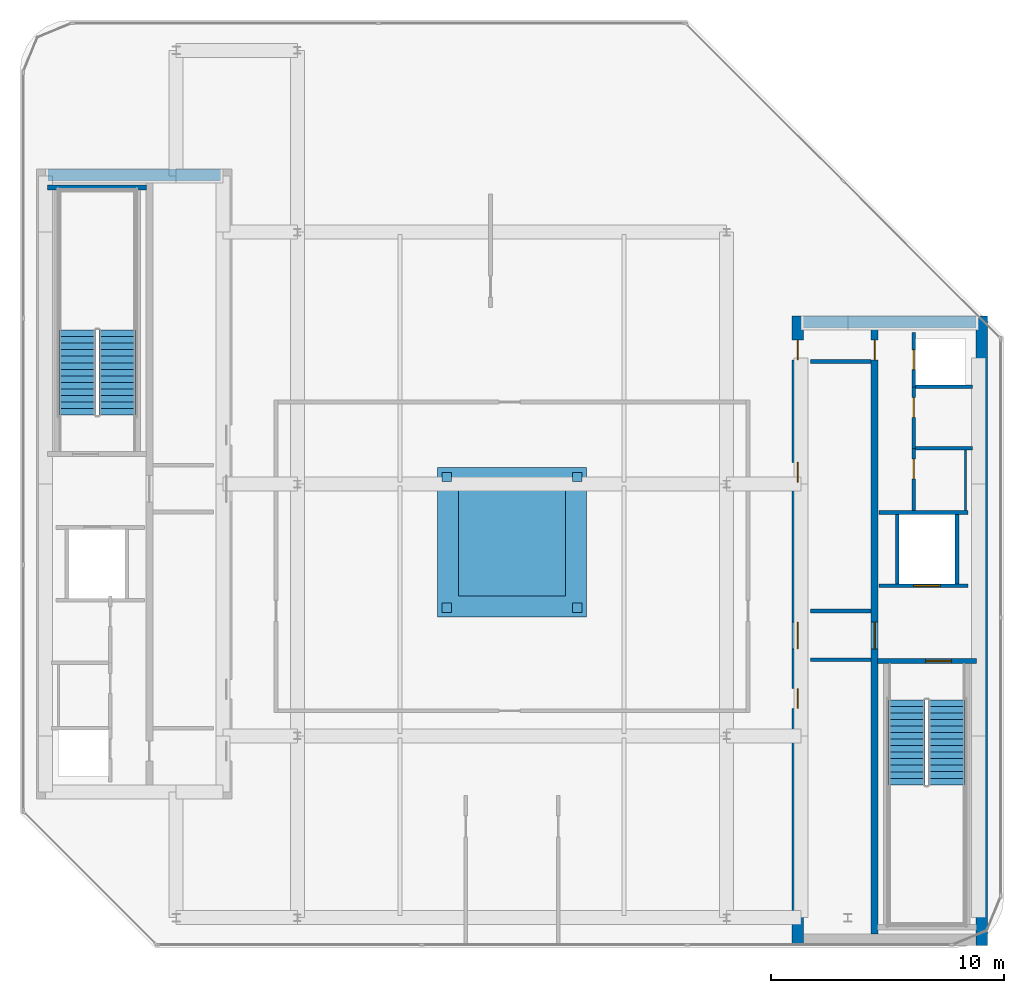
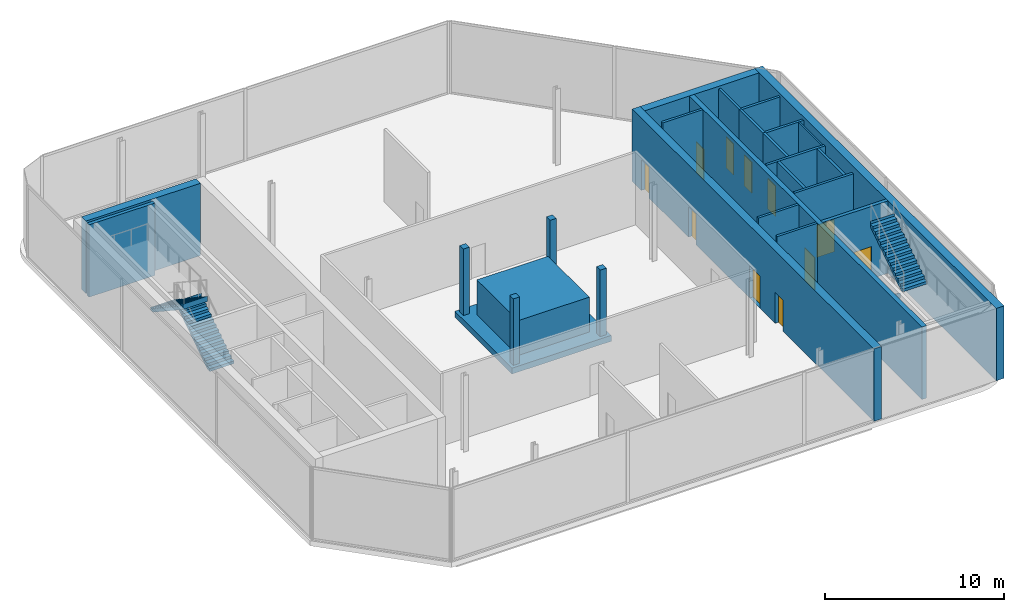
# One storey, part 6 of 14: 20 walls, 11 doors, 6 discrete accessories, 4 stair flights, 11 openings, 2 elements without a shape of their own.
"""IFC4 building model written with IfcOpenShell, lengths in metres."""

from ifc_helpers import new_model, si_unit, direction, frame, frame_2d, origin, origin_2d, place, context, subcontext, project, spatial, polyline, rectangle, outline, extrude, material, layer, layer_set, type_object, element, fill, aggregate, save


model = new_model("IFC4")

# Units and contexts
model_context = context("Model", 3, precision=1e-05, world=origin(), true_north=direction((0.0, 1.0)))
body_context = subcontext(model_context, "Body", "Model", "MODEL_VIEW")
ifc_project = project(units=[si_unit("LENGTHUNIT", "METRE"), si_unit("AREAUNIT", "SQUARE_METRE"), si_unit("VOLUMEUNIT", "CUBIC_METRE"), si_unit("PLANEANGLEUNIT", "RADIAN"), si_unit("MASSUNIT", "GRAM", prefix="KILO")], contexts=[model_context])

# Site, building, storey
site_placement = place(None, origin())
site = spatial("IfcSite", under=ifc_project, at=site_placement, CompositionType="ELEMENT")
building_placement = place(site_placement, origin())
building = spatial("IfcBuilding", under=site, at=building_placement, Name="Khairoan Windgate Tower", CompositionType="ELEMENT")
storey_placement = place(building_placement, frame((0.0, 0.0, 325.199951171875)))
storey = spatial("IfcBuildingStorey", under=building, at=storey_placement, Name="L78", CompositionType="ELEMENT", Elevation=325.199951171875)

# Wall
ifc_material_1 = material(Name="Moisture-Resistant Gypsum Partition", Category="gypsum")
ifc_layer_1 = layer(ifc_material_1, 0.10009765625, Name="Moisture-Resistant Gypsum Partition")
ifc_layer_set_1 = layer_set([ifc_layer_1], Name="Moisture-Resistant Gypsum Partition")
wall_type_1 = type_object("IfcWallType", Name="Bathroom Wet-Area Partition Wall", PredefinedType="PARTITIONING", material=ifc_layer_set_1)
wall_1_placement = place(storey_placement, frame((19.449951171875, 1.449951171875, 0.0), z_axis=(0.0, 0.0, 1.0), x_axis=(0.0, -1.0, 0.0)))
element("IfcWall", 1, at=wall_1_placement, inside=storey, type_object=wall_type_1, Name="L78 Wet Room Side Wall 019", PredefinedType="PARTITIONING", context=body_context, shape_type="SweptSolid", body=[
    extrude(rectangle(XDim=2.58984375, YDim=0.10009765625, at=frame_2d((1.294921875, 0.0))), origin(), (0.0, 0.0, 1.0), 4.93994140625),
])

# Wall, opening, door
ifc_material_2 = material(Name="Concrete C40/50", Category="concrete")
ifc_layer_2 = layer(ifc_material_2, 0.159912109375, Name="Concrete C40/50")
ifc_layer_set_2 = layer_set([ifc_layer_2], Name="Concrete C40/50")
wall_type_2 = type_object("IfcWallType", Name="Core and Hoistway Enclosure Wall", PredefinedType="STANDARD", material=ifc_layer_set_2)
wall_2_placement = place(storey_placement, frame((15.75, -4.360107421875, 0.0), z_axis=(0.0, 0.0, 1.0), x_axis=(1.0, 0.0, 0.0)))
wall_2 = element("IfcWall", 2, at=wall_2_placement, inside=storey, type_object=wall_type_2, Name="L78 Core Shaft Wall SW-FL1-L78", PredefinedType="STANDARD", context=body_context, shape_type="SweptSolid", body=[
    extrude(rectangle(XDim=3.800048828125, YDim=0.159912109375, at=frame_2d((1.89990234375, 0.0))), origin(), (0.0, 0.0, 1.0), 4.93994140625),
])
opening_1_placement = place(wall_2_placement, frame((1.469970703125, 0.0, 0.0)))
opening_1 = element("IfcOpeningElement", 3, at=opening_1_placement, cuts=wall_2, Name="Opening LD-FL", PredefinedType="OPENING", context=body_context, shape_type="SweptSolid", body=[
    extrude(rectangle(XDim=1.14990234375, YDim=2.199951171875, at=frame_2d((0.574951171875, 1.10009765625))), frame((0.0, 0.08984375, 0.0), z_axis=(0.0, -1.0, 0.0), x_axis=(1.0, 0.0, 0.0)), (0.0, 0.0, 1.0), 0.179931640625),
])
ifc_material_3 = material(Name="Steel S355", Category="steel")
door_type_1 = type_object("IfcDoorType", Name="Firefighting Lift Sliding Landing Door LD-FL 1150x2200", OperationType="DOUBLE_DOOR_SLIDING", PredefinedType="DOOR", material=ifc_material_3)
door_1_placement = place(opening_1_placement, origin())
door_1 = element("IfcDoor", 4, at=door_1_placement, inside=storey, type_object=door_type_1, Name="L78 Firefighting Lift FL1 Landing Door", OperationType="DOUBLE_DOOR_SLIDING", OverallHeight=2.199951171875, OverallWidth=1.14990234375, PredefinedType="DOOR", context=body_context, shape_type="SweptSolid", body=[
    extrude(rectangle(XDim=1.14990234375, YDim=2.199951171875, at=frame_2d((0.574951171875, 1.10009765625))), frame((0.0, 0.02490234375, 0.0), z_axis=(0.0, -1.0, 0.0), x_axis=(1.0, 0.0, 0.0)), (0.0, 0.0, 1.0), 0.050048828125),
])
fill(opening_1, door_1)

# Walls
wall_3_placement = place(storey_placement, frame((15.75, -1.219970703125, 0.0), z_axis=(0.0, 0.0, 1.0), x_axis=(1.0, 0.0, 0.0)))
element("IfcWall", 5, at=wall_3_placement, inside=storey, type_object=wall_type_2, Name="L78 Core Shaft Wall SW-FL1T-L78", PredefinedType="STANDARD", context=body_context, shape_type="SweptSolid", body=[
    extrude(rectangle(XDim=3.800048828125, YDim=0.159912109375, at=frame_2d((1.89990234375, 0.0))), origin(), (0.0, 0.0, 1.0), 4.93994140625),
])
for number, where, z_axis, x_axis, name in (
    (6, (16.52001953125, -4.280029296875, 0.0), (0.0, 0.0, 1.0), (0.0, 1.0, 0.0), "L78 Core Shaft Wall SW-FL1W-L78"),
    (7, (19.080078125, -4.280029296875, 0.0), (0.0, 0.0, 1.0), (0.0, 1.0, 0.0), "L78 Core Shaft Wall SW-FL1E-L78"),
):
    element("IfcWall", number, at=place(storey_placement, frame(where, z_axis=z_axis, x_axis=x_axis)), inside=storey, type_object=wall_type_2, Name=name, PredefinedType="STANDARD", context=body_context, shape_type="SweptSolid", body=[
        extrude(rectangle(XDim=2.97998046875, YDim=0.159912109375, at=frame_2d((1.489990234375, 0.0))), origin(), (0.0, 0.0, 1.0), 4.93994140625),
    ])
for number, where, z_axis, x_axis, name in (
    (8, (12.800048828125, -5.449951171875, 0.0), (0.0, 0.0, 1.0), (1.0, 0.0, 0.0), "L78 Core Shaft Wall SW-EV1-L78"),
    (9, (12.800048828125, -7.5400390625, 0.0), (0.0, 0.0, 1.0), (1.0, 0.0, 0.0), "L78 Core Shaft Wall SW-EV2-L78"),
    (10, (12.800048828125, 5.25, 0.0), (0.0, 0.0, 1.0), (1.0, 0.0, 0.0), "L78 Core Shaft Wall SW-ESV-L78"),
):
    element("IfcWall", number, at=place(storey_placement, frame(where, z_axis=z_axis, x_axis=x_axis)), inside=storey, type_object=wall_type_2, Name=name, PredefinedType="STANDARD", context=body_context, shape_type="SweptSolid", body=[
        extrude(rectangle(XDim=2.599853515625, YDim=0.159912109375, at=frame_2d((1.2998046875, 0.0))), origin(), (0.0, 0.0, 1.0), 4.93994140625),
    ])

# Wall, opening, door
ifc_material_4 = material(Name="Concrete C40/50", Category="concrete")
ifc_layer_3 = layer(ifc_material_4, 0.159912109375, Name="Concrete C40/50")
ifc_layer_set_3 = layer_set([ifc_layer_3], Name="Concrete C40/50")
wall_type_3 = type_object("IfcWallType", Name="Plant and Refuge Compartment Wall", PredefinedType="PARTITIONING", material=ifc_layer_set_3)
wall_4_placement = place(storey_placement, frame((17.22998046875, 4.169921875, 0.0), z_axis=(0.0, 0.0, 1.0), x_axis=(0.0, 1.0, 0.0)))
wall_4 = element("IfcWall", 11, at=wall_4_placement, inside=storey, type_object=wall_type_3, Name="L78 Interior Partition 006", PredefinedType="PARTITIONING", context=body_context, shape_type="SweptSolid", body=[
    extrude(rectangle(XDim=2.320068359375, YDim=0.159912109375, at=frame_2d((1.16015625, 0.0))), origin(), (0.0, 0.0, 1.0), 4.93994140625),
])
opening_2_placement = place(wall_4_placement, frame((0.735107421875, 0.0, 0.0)))
opening_2 = element("IfcOpeningElement", 12, at=opening_2_placement, cuts=wall_4, Name="Opening FD-SRV", PredefinedType="OPENING", context=body_context, shape_type="SweptSolid", body=[
    extrude(rectangle(XDim=0.85009765625, YDim=2.10009765625, at=frame_2d((0.425048828125, 1.050048828125))), frame((0.0, 0.08984375, 0.0), z_axis=(0.0, -1.0, 0.0), x_axis=(1.0, 0.0, 0.0)), (0.0, 0.0, 1.0), 0.179931640625),
])
ifc_material_5 = material(Name="Steel S355", Category="steel")
door_type_2 = type_object("IfcDoorType", Name="Core Service and Riser Fire Door FD-SRV 850x2100", OperationType="NOTDEFINED", PredefinedType="DOOR", material=ifc_material_5)
door_2_placement = place(opening_2_placement, origin())
door_2 = element("IfcDoor", 13, at=door_2_placement, inside=storey, type_object=door_type_2, Name="L78 L78-15-L78-16 Door", OperationType="SINGLE_SWING_LEFT", OverallHeight=2.10009765625, OverallWidth=0.85009765625, PredefinedType="DOOR", context=body_context, shape_type="SweptSolid", body=[
    extrude(rectangle(XDim=0.85009765625, YDim=2.10009765625, at=frame_2d((0.425048828125, 1.050048828125))), frame((0.0, 0.02490234375, 0.0), z_axis=(0.0, -1.0, 0.0), x_axis=(1.0, 0.0, 0.0)), (0.0, 0.0, 1.0), 0.050048828125),
])
fill(opening_2, door_2)

wall_5_placement = place(storey_placement, frame((17.22998046875, -1.139892578125, 0.0), z_axis=(0.0, 0.0, 1.0), x_axis=(0.0, 1.0, 0.0)))
wall_5 = element("IfcWall", 14, at=wall_5_placement, inside=storey, type_object=wall_type_3, Name="L78 Interior Partition 007", PredefinedType="PARTITIONING", context=body_context, shape_type="SweptSolid", body=[
    extrude(rectangle(XDim=2.669921875, YDim=0.159912109375, at=frame_2d((1.3349609375, 0.0))), origin(), (0.0, 0.0, 1.0), 4.93994140625),
])
opening_3_placement = place(wall_5_placement, frame((1.360107421875, 0.0, 0.0)))
opening_3 = element("IfcOpeningElement", 15, at=opening_3_placement, cuts=wall_5, Name="Opening FD-SRV", PredefinedType="OPENING", context=body_context, shape_type="SweptSolid", body=[
    extrude(rectangle(XDim=0.85009765625, YDim=2.10009765625, at=frame_2d((0.425048828125, 1.050048828125))), frame((0.0, 0.08984375, 0.0), z_axis=(0.0, -1.0, 0.0), x_axis=(1.0, 0.0, 0.0)), (0.0, 0.0, 1.0), 0.179931640625),
])
door_3_placement = place(opening_3_placement, origin())
door_3 = element("IfcDoor", 16, at=door_3_placement, inside=storey, type_object=door_type_2, Name="L78 L78-15-L78-17 Door", OperationType="SINGLE_SWING_RIGHT", OverallHeight=2.10009765625, OverallWidth=0.85009765625, PredefinedType="DOOR", context=body_context, shape_type="SweptSolid", body=[
    extrude(rectangle(XDim=0.85009765625, YDim=2.10009765625, at=frame_2d((0.425048828125, 1.050048828125))), frame((0.0, 0.02490234375, 0.0), z_axis=(0.0, -1.0, 0.0), x_axis=(1.0, 0.0, 0.0)), (0.0, 0.0, 1.0), 0.050048828125),
])
fill(opening_3, door_3)

wall_6_placement = place(storey_placement, frame((17.22998046875, 1.530029296875, 0.0), z_axis=(0.0, 0.0, 1.0), x_axis=(0.0, 1.0, 0.0)))
wall_6 = element("IfcWall", 17, at=wall_6_placement, inside=storey, type_object=wall_type_3, Name="L78 Interior Partition 008", PredefinedType="PARTITIONING", context=body_context, shape_type="SweptSolid", body=[
    extrude(rectangle(XDim=2.639892578125, YDim=0.159912109375, at=frame_2d((1.31982421875, 0.0))), origin(), (0.0, 0.0, 1.0), 4.93994140625),
])
opening_4_placement = place(wall_6_placement, frame((1.330078125, 0.0, 0.0)))
opening_4 = element("IfcOpeningElement", 18, at=opening_4_placement, cuts=wall_6, Name="Opening FD-SRV", PredefinedType="OPENING", context=body_context, shape_type="SweptSolid", body=[
    extrude(rectangle(XDim=0.85009765625, YDim=2.10009765625, at=frame_2d((0.425048828125, 1.050048828125))), frame((0.0, 0.08984375, 0.0), z_axis=(0.0, -1.0, 0.0), x_axis=(1.0, 0.0, 0.0)), (0.0, 0.0, 1.0), 0.179931640625),
])
door_4_placement = place(opening_4_placement, origin())
door_4 = element("IfcDoor", 19, at=door_4_placement, inside=storey, type_object=door_type_2, Name="L78 L78-15-L78-18 Door", OperationType="SINGLE_SWING_LEFT", OverallHeight=2.10009765625, OverallWidth=0.85009765625, PredefinedType="DOOR", context=body_context, shape_type="SweptSolid", body=[
    extrude(rectangle(XDim=0.85009765625, YDim=2.10009765625, at=frame_2d((0.425048828125, 1.050048828125))), frame((0.0, 0.02490234375, 0.0), z_axis=(0.0, -1.0, 0.0), x_axis=(1.0, 0.0, 0.0)), (0.0, 0.0, 1.0), 0.050048828125),
])
fill(opening_4, door_4)

# Walls
for number, where, z_axis, x_axis, name in (
    (20, (17.31005859375, 4.169921875, 0.0), (0.0, 0.0, 1.0), (1.0, 0.0, 0.0), "L78 Interior Partition 009"),
    (21, (17.31005859375, 1.530029296875, 0.0), (0.0, 0.0, 1.0), (1.0, 0.0, 0.0), "L78 Interior Partition 010"),
):
    element("IfcWall", number, at=place(storey_placement, frame(where, z_axis=z_axis, x_axis=x_axis)), inside=storey, type_object=wall_type_3, Name=name, PredefinedType="PARTITIONING", context=body_context, shape_type="SweptSolid", body=[
        extrude(rectangle(XDim=2.43994140625, YDim=0.159912109375, at=frame_2d((1.219970703125, 0.0))), origin(), (0.0, 0.0, 1.0), 4.93994140625),
    ])

# Wall, openings, doors
ifc_material_6 = material(Name="Concrete C50/60", Category="concrete")
ifc_layer_4 = layer(ifc_material_6, 0.5, Name="Concrete C50/60")
ifc_layer_set_4 = layer_set([ifc_layer_4], Name="Concrete C50/60")
wall_type_4 = type_object("IfcWallType", Name="Shear Wall CW-E3 500mm", PredefinedType="SHEAR", material=ifc_layer_set_4)
wall_7_placement = place(storey_placement, frame((12.25, -19.800048828125, 0.0), z_axis=(0.0, 0.0, 1.0), x_axis=(0.0, 1.0, 0.0)))
wall_7 = element("IfcWall", 22, at=wall_7_placement, inside=storey, type_object=wall_type_4, Name="E Core West Shear Wall L78", PredefinedType="SHEAR", context=body_context, shape_type="SweptSolid", body=[
    extrude(rectangle(XDim=27.0, YDim=0.5, at=frame_2d((13.5, 0.0))), origin(), (0.0, 0.0, 1.0), 4.93994140625),
])
opening_5_placement = place(wall_7_placement, frame((19.875, 0.0, 0.0)))
opening_5 = element("IfcOpeningElement", 23, at=opening_5_placement, cuts=wall_7, Name="Opening FD-SRV", PredefinedType="OPENING", context=body_context, shape_type="SweptSolid", body=[
    extrude(rectangle(XDim=0.85009765625, YDim=2.10009765625, at=frame_2d((0.425048828125, 1.050048828125))), frame((0.0, 0.260009765625, 0.0), z_axis=(0.0, -1.0, 0.0), x_axis=(1.0, 0.0, 0.0)), (0.0, 0.0, 1.0), 0.52001953125),
])
opening_6_placement = place(wall_7_placement, frame((10.175048828125, 0.0, 0.0)))
opening_6 = element("IfcOpeningElement", 24, at=opening_6_placement, cuts=wall_7, Name="Opening FD-SRV", PredefinedType="OPENING", context=body_context, shape_type="SweptSolid", body=[
    extrude(rectangle(XDim=0.85009765625, YDim=2.10009765625, at=frame_2d((0.425048828125, 1.050048828125))), frame((0.0, 0.260009765625, 0.0), z_axis=(0.0, -1.0, 0.0), x_axis=(1.0, 0.0, 0.0)), (0.0, 0.0, 1.0), 0.52001953125),
])
opening_7_placement = place(wall_7_placement, frame((12.72509765625, 0.0, 0.0)))
opening_7 = element("IfcOpeningElement", 25, at=opening_7_placement, cuts=wall_7, Name="Opening FD-FFL", PredefinedType="OPENING", context=body_context, shape_type="SweptSolid", body=[
    extrude(rectangle(XDim=1.14990234375, YDim=2.199951171875, at=frame_2d((0.574951171875, 1.10009765625))), frame((0.0, 0.260009765625, 0.0), z_axis=(0.0, -1.0, 0.0), x_axis=(1.0, 0.0, 0.0)), (0.0, 0.0, 1.0), 0.52001953125),
])
opening_8_placement = place(wall_7_placement, frame((25.125, 0.0, 0.0)))
opening_8 = element("IfcOpeningElement", 26, at=opening_8_placement, cuts=wall_7, Name="Opening FD-SRV", PredefinedType="OPENING", context=body_context, shape_type="SweptSolid", body=[
    extrude(rectangle(XDim=0.85009765625, YDim=2.10009765625, at=frame_2d((0.425048828125, 1.050048828125))), frame((0.0, 0.260009765625, 0.0), z_axis=(0.0, -1.0, 0.0), x_axis=(1.0, 0.0, 0.0)), (0.0, 0.0, 1.0), 0.52001953125),
])
door_5_placement = place(opening_5_placement, origin())
door_5 = element("IfcDoor", 27, at=door_5_placement, inside=storey, type_object=door_type_2, Name="L78 Crown Overrun Plant Door", OperationType="SINGLE_SWING_RIGHT", OverallHeight=2.10009765625, OverallWidth=0.85009765625, PredefinedType="DOOR", context=body_context, shape_type="SweptSolid", body=[
    extrude(rectangle(XDim=0.85009765625, YDim=2.10009765625, at=frame_2d((0.425048828125, 1.050048828125))), frame((0.0, 0.02490234375, 0.0), z_axis=(0.0, -1.0, 0.0), x_axis=(1.0, 0.0, 0.0)), (0.0, 0.0, 1.0), 0.050048828125),
])
fill(opening_5, door_5)
door_6_placement = place(opening_6_placement, origin())
door_6 = element("IfcDoor", 28, at=door_6_placement, inside=storey, type_object=door_type_2, Name="L78 East Core Service Room Door 1", OperationType="SINGLE_SWING_LEFT", OverallHeight=2.10009765625, OverallWidth=0.85009765625, PredefinedType="DOOR", context=body_context, shape_type="SweptSolid", body=[
    extrude(rectangle(XDim=0.85009765625, YDim=2.10009765625, at=frame_2d((0.425048828125, 1.050048828125))), frame((0.0, 0.02490234375, 0.0), z_axis=(0.0, -1.0, 0.0), x_axis=(1.0, 0.0, 0.0)), (0.0, 0.0, 1.0), 0.050048828125),
])
fill(opening_6, door_6)
door_7_placement = place(opening_8_placement, origin())
door_7 = element("IfcDoor", 29, at=door_7_placement, inside=storey, type_object=door_type_2, Name="L78 East Core Service Vestibule Outer Door", OperationType="SINGLE_SWING_RIGHT", OverallHeight=2.10009765625, OverallWidth=0.85009765625, PredefinedType="DOOR", context=body_context, shape_type="SweptSolid", body=[
    extrude(rectangle(XDim=0.85009765625, YDim=2.10009765625, at=frame_2d((0.425048828125, 1.050048828125))), frame((0.0, 0.02490234375, 0.0), z_axis=(0.0, -1.0, 0.0), x_axis=(1.0, 0.0, 0.0)), (0.0, 0.0, 1.0), 0.050048828125),
])
fill(opening_8, door_7)
ifc_material_7 = material(Name="Steel S355", Category="steel")
door_type_3 = type_object("IfcDoorType", Name="Firefighting Lobby Fire Door FD-FFL 1150x2200", OperationType="NOTDEFINED", PredefinedType="DOOR", material=ifc_material_7)
door_8_placement = place(opening_7_placement, origin())
door_8 = element("IfcDoor", 30, at=door_8_placement, inside=storey, type_object=door_type_3, Name="L78 East Core Vestibule Entry Door", OperationType="SINGLE_SWING_RIGHT", OverallHeight=2.199951171875, OverallWidth=1.14990234375, PredefinedType="DOOR", context=body_context, shape_type="SweptSolid", body=[
    extrude(rectangle(XDim=1.14990234375, YDim=2.199951171875, at=frame_2d((0.574951171875, 1.10009765625))), frame((0.0, 0.02490234375, 0.0), z_axis=(0.0, -1.0, 0.0), x_axis=(1.0, 0.0, 0.0)), (0.0, 0.0, 1.0), 0.050048828125),
])
fill(opening_7, door_8)

# Walls
wall_8_placement = place(storey_placement, frame((20.14990234375, -19.800048828125, 0.0), z_axis=(0.0, 0.0, 1.0), x_axis=(0.0, 1.0, 0.0)))
element("IfcWall", 31, at=wall_8_placement, inside=storey, type_object=wall_type_4, Name="E Core East Shear Wall L78", PredefinedType="SHEAR", context=body_context, shape_type="SweptSolid", body=[
    extrude(rectangle(XDim=27.0, YDim=0.5, at=frame_2d((13.5, 0.0))), origin(), (0.0, 0.0, 1.0), 4.93994140625),
])
wall_9_placement = place(storey_placement, frame((12.5, 6.949951171875, 0.0), z_axis=(0.0, 0.0, 1.0), x_axis=(1.0, 0.0, 0.0)))
element("IfcWall", 32, at=wall_9_placement, inside=storey, type_object=wall_type_4, Name="E Core North Shear Wall L78", PredefinedType="SHEAR", context=body_context, shape_type="SweptSolid", body=[
    extrude(rectangle(XDim=7.39990234375, YDim=0.5, at=frame_2d((3.699951171875, 0.0))), origin(), (0.0, 0.0, 1.0), 4.93994140625),
])
ifc_material_8 = material(Name="Concrete C50/60", Category="concrete")
ifc_layer_5 = layer(ifc_material_8, 0.5, Name="Concrete C50/60")
ifc_layer_set_5 = layer_set([ifc_layer_5], Name="Concrete C50/60")
wall_type_5 = type_object("IfcWallType", Name="Shear Wall CW-W3 500mm", PredefinedType="SHEAR", material=ifc_layer_set_5)
wall_10_placement = place(storey_placement, frame((-19.89990234375, 13.25, 0.0), z_axis=(0.0, 0.0, 1.0), x_axis=(1.0, 0.0, 0.0)))
element("IfcWall", 33, at=wall_10_placement, inside=storey, type_object=wall_type_5, Name="W Core North Shear Wall L78", PredefinedType="SHEAR", context=body_context, shape_type="SweptSolid", body=[
    extrude(rectangle(XDim=7.39990234375, YDim=0.5, at=frame_2d((3.699951171875, 0.0))), origin(), (0.0, 0.0, 1.0), 4.93994140625),
])

# Wall, openings, doors
ifc_material_9 = material(Name="Concrete C50/60", Category="concrete")
ifc_layer_6 = layer(ifc_material_9, 0.300048828125, Name="Concrete C50/60")
ifc_layer_set_6 = layer_set([ifc_layer_6], Name="Concrete C50/60")
wall_type_6 = type_object("IfcWallType", Name="Shear Wall SW-2 300mm", PredefinedType="SHEAR", material=ifc_layer_set_6)
wall_11_placement = place(storey_placement, frame((15.550048828125, -19.300048828125, 0.0), z_axis=(0.0, 0.0, 1.0), x_axis=(0.0, 1.0, 0.0)))
wall_11 = element("IfcWall", 34, at=wall_11_placement, inside=storey, type_object=wall_type_6, Name="E Core Spine Shear Wall L78", PredefinedType="SHEAR", context=body_context, shape_type="SweptSolid", body=[
    extrude(rectangle(XDim=26.0, YDim=0.300048828125, at=frame_2d((13.0, 0.0))), origin(), (0.0, 0.0, 1.0), 4.93994140625),
])
opening_9_placement = place(wall_11_placement, frame((12.22509765625, 0.0, 0.0)))
opening_9 = element("IfcOpeningElement", 35, at=opening_9_placement, cuts=wall_11, Name="Opening FD-FFL", PredefinedType="OPENING", context=body_context, shape_type="SweptSolid", body=[
    extrude(rectangle(XDim=1.14990234375, YDim=2.199951171875, at=frame_2d((0.574951171875, 1.10009765625))), frame((0.0, 0.159912109375, 0.0), z_axis=(0.0, -1.0, 0.0), x_axis=(1.0, 0.0, 0.0)), (0.0, 0.0, 1.0), 0.320068359375),
])
opening_10_placement = place(wall_11_placement, frame((24.625, 0.0, 0.0)))
opening_10 = element("IfcOpeningElement", 36, at=opening_10_placement, cuts=wall_11, Name="Opening FD-SRV", PredefinedType="OPENING", context=body_context, shape_type="SweptSolid", body=[
    extrude(rectangle(XDim=0.85009765625, YDim=2.10009765625, at=frame_2d((0.425048828125, 1.050048828125))), frame((0.0, 0.159912109375, 0.0), z_axis=(0.0, -1.0, 0.0), x_axis=(1.0, 0.0, 0.0)), (0.0, 0.0, 1.0), 0.320068359375),
])
door_9_placement = place(opening_10_placement, origin())
door_9 = element("IfcDoor", 37, at=door_9_placement, inside=storey, type_object=door_type_2, Name="L78 East Core Service Passage Inner Door", OperationType="SINGLE_SWING_LEFT", OverallHeight=2.10009765625, OverallWidth=0.85009765625, PredefinedType="DOOR", context=body_context, shape_type="SweptSolid", body=[
    extrude(rectangle(XDim=0.85009765625, YDim=2.10009765625, at=frame_2d((0.425048828125, 1.050048828125))), frame((0.0, 0.02490234375, 0.0), z_axis=(0.0, -1.0, 0.0), x_axis=(1.0, 0.0, 0.0)), (0.0, 0.0, 1.0), 0.050048828125),
])
fill(opening_10, door_9)
door_10_placement = place(opening_9_placement, origin())
door_10 = element("IfcDoor", 38, at=door_10_placement, inside=storey, type_object=door_type_3, Name="L78 East Firefighting Lobby Fire Door", OperationType="SINGLE_SWING_LEFT", OverallHeight=2.199951171875, OverallWidth=1.14990234375, PredefinedType="DOOR", context=body_context, shape_type="SweptSolid", body=[
    extrude(rectangle(XDim=1.14990234375, YDim=2.199951171875, at=frame_2d((0.574951171875, 1.10009765625))), frame((0.0, 0.02490234375, 0.0), z_axis=(0.0, -1.0, 0.0), x_axis=(1.0, 0.0, 0.0)), (0.0, 0.0, 1.0), 0.050048828125),
])
fill(opening_9, door_10)

# Wall, opening, door
ifc_material_10 = material(Name="Concrete C50/60", Category="concrete")
ifc_layer_7 = layer(ifc_material_10, 0.219970703125, Name="Concrete C50/60")
ifc_layer_set_7 = layer_set([ifc_layer_7], Name="Concrete C50/60")
wall_type_7 = type_object("IfcWallType", Name="Shear Wall SW-ST 220mm", PredefinedType="SHEAR", material=ifc_layer_set_7)
wall_12_placement = place(storey_placement, frame((19.919921875, -7.590087890625, 0.0), z_axis=(0.0, 0.0, 1.0), x_axis=(-1.0, 0.0, 0.0)))
wall_12 = element("IfcWall", 39, at=wall_12_placement, inside=storey, type_object=wall_type_7, Name="L78 Stair ST1 North Bearing Wall", PredefinedType="SHEAR", context=body_context, shape_type="SweptSolid", body=[
    extrude(rectangle(XDim=4.239990234375, YDim=0.219970703125, at=frame_2d((2.1201171875, 0.0))), origin(), (0.0, 0.0, 1.0), 4.93994140625),
])
opening_11_placement = place(wall_12_placement, frame((1.080078125, 0.0, 0.0)))
opening_11 = element("IfcOpeningElement", 40, at=opening_11_placement, cuts=wall_12, Name="Opening FD-ST", PredefinedType="OPENING", context=body_context, shape_type="SweptSolid", body=[
    extrude(rectangle(XDim=1.10009765625, YDim=2.199951171875, at=frame_2d((0.550048828125, 1.10009765625))), frame((0.0, 0.119873046875, 0.0), z_axis=(0.0, -1.0, 0.0), x_axis=(1.0, 0.0, 0.0)), (0.0, 0.0, 1.0), 0.239990234375),
])
ifc_material_11 = material(Name="Steel S355", Category="steel")
door_type_4 = type_object("IfcDoorType", Name="Smokeproof Stair Fire Door FD-ST 1100x2200", OperationType="NOTDEFINED", PredefinedType="DOOR", material=ifc_material_11)
door_11_placement = place(opening_11_placement, origin())
door_11 = element("IfcDoor", 41, at=door_11_placement, inside=storey, type_object=door_type_4, Name="L78 Stair ST1 Fire Door", OperationType="SINGLE_SWING_RIGHT", OverallHeight=2.199951171875, OverallWidth=1.10009765625, PredefinedType="DOOR", context=body_context, shape_type="SweptSolid", body=[
    extrude(rectangle(XDim=1.10009765625, YDim=2.199951171875, at=frame_2d((0.550048828125, 1.10009765625))), frame((0.0, 0.02490234375, 0.0), z_axis=(0.0, -1.0, 0.0), x_axis=(1.0, 0.0, 0.0)), (0.0, 0.0, 1.0), 0.050048828125),
])
fill(opening_11, door_11)

# Wall
wall_13_placement = place(storey_placement, frame((-19.919921875, 12.7099609375, 0.0), z_axis=(0.0, 0.0, 1.0), x_axis=(1.0, 0.0, 0.0)))
element("IfcWall", 42, at=wall_13_placement, inside=storey, type_object=wall_type_7, Name="L78 Stair ST2 North Bearing Wall", PredefinedType="SHEAR", context=body_context, shape_type="SweptSolid", body=[
    extrude(rectangle(XDim=4.239990234375, YDim=0.219970703125, at=frame_2d((2.1201171875, 0.0))), origin(), (0.0, 0.0, 1.0), 4.93994140625),
])

# Stair, stair flights
ifc_material_12 = material(Name="Concrete C40/50", Category="concrete")
stair_type = type_object("IfcStairType", Name="Tower Core Dog-Leg Stair ST-T1 1560mm", PredefinedType="HALF_TURN_STAIR", material=ifc_material_12)
stair_1_placement = place(storey_placement, origin())
stair_1 = element("IfcStair", 43, at=stair_1_placement, inside=storey, type_object=stair_type, Name="L78 Stair ST1", PredefinedType="HALF_TURN_STAIR")
ifc_material_13 = material(Name="Concrete C40/50", Category="concrete")
ifc_layer_8 = layer(ifc_material_13, 0.14990234375, Name="Concrete C40/50")
ifc_layer_set_8 = layer_set([ifc_layer_8], Name="Concrete C40/50")
stair_flight_type = type_object("IfcStairFlightType", Name="Tower Core Stair Flight STF-1560", PredefinedType="STRAIGHT", material=ifc_layer_set_8)
stair_flight_1_placement = place(storey_placement, frame((16.929931640625, -9.260009765625, 0.0), z_axis=(0.0, 0.0, 1.0), x_axis=(0.0, -1.0, 0.0)))
stair_flight_1 = element("IfcStairFlight", 44, at=stair_flight_1_placement, type_object=stair_flight_type, Name="ST1 flight 1", NumberOfRisers=14, NumberOfTreads=13, PredefinedType="STRAIGHT", RiserHeight=0.185714286, TreadLength=0.28, context=body_context, shape_type="SweptSolid", body=[
    extrude(outline(polyline([(-0.00390625, 0.0), (-0.00390625, 0.185791015625), (0.0, 0.185791015625), (0.280029296875, 0.185791015625), (0.280029296875, 0.371337890625), (0.56005859375, 0.371337890625), (0.56005859375, 0.55712890625), (0.840087890625, 0.55712890625), (0.840087890625, 0.742919921875), (1.1201171875, 0.742919921875), (1.1201171875, 0.928466796875), (1.39990234375, 0.928466796875), (1.39990234375, 1.1142578125), (1.679931640625, 1.1142578125), (1.679931640625, 1.300048828125), (1.9599609375, 1.300048828125), (1.9599609375, 1.485595703125), (2.239990234375, 1.485595703125), (2.239990234375, 1.67138671875), (2.52001953125, 1.67138671875), (2.52001953125, 1.857177734375), (2.800048828125, 1.857177734375), (2.800048828125, 2.04296875), (3.080078125, 2.04296875), (3.080078125, 2.228515625), (3.360107421875, 2.228515625), (3.360107421875, 2.414306640625), (3.639892578125, 2.414306640625), (3.639892578125, 2.60009765625), (3.64404296875, 2.60009765625), (3.64404296875, 2.234375), (0.271240234375, 0.0), (-0.00390625, 0.0)])), frame((0.0, 0.780029296875, 0.0), z_axis=(0.0, -1.0, 0.0), x_axis=(1.0, 0.0, 0.0)), (0.0, 0.0, 1.0), 1.56005859375),
])
stair_flight_2_placement = place(storey_placement, frame((18.639892578125, -12.89990234375, 2.60009765625), z_axis=(0.0, 0.0, 1.0), x_axis=(0.0, 1.0, 0.0)))
stair_flight_2 = element("IfcStairFlight", 45, at=stair_flight_2_placement, type_object=stair_flight_type, Name="ST1 flight 2", NumberOfRisers=14, NumberOfTreads=13, PredefinedType="STRAIGHT", RiserHeight=0.185714286, TreadLength=0.28, context=body_context, shape_type="SweptSolid", body=[
    extrude(outline(polyline([(-0.00390625, 0.0), (-0.00390625, 0.185791015625), (0.0, 0.185791015625), (0.280029296875, 0.185791015625), (0.280029296875, 0.371337890625), (0.56005859375, 0.371337890625), (0.56005859375, 0.55712890625), (0.840087890625, 0.55712890625), (0.840087890625, 0.742919921875), (1.1201171875, 0.742919921875), (1.1201171875, 0.928466796875), (1.39990234375, 0.928466796875), (1.39990234375, 1.1142578125), (1.679931640625, 1.1142578125), (1.679931640625, 1.300048828125), (1.9599609375, 1.300048828125), (1.9599609375, 1.485595703125), (2.239990234375, 1.485595703125), (2.239990234375, 1.67138671875), (2.52001953125, 1.67138671875), (2.52001953125, 1.857177734375), (2.800048828125, 1.857177734375), (2.800048828125, 2.04296875), (3.080078125, 2.04296875), (3.080078125, 2.228515625), (3.360107421875, 2.228515625), (3.360107421875, 2.414306640625), (3.639892578125, 2.414306640625), (3.639892578125, 2.60009765625), (3.64404296875, 2.60009765625), (3.64404296875, 2.234375), (0.271240234375, 0.0), (-0.00390625, 0.0)])), frame((0.0, 0.780029296875, 0.0), z_axis=(0.0, -1.0, 0.0), x_axis=(1.0, 0.0, 0.0)), (0.0, 0.0, 1.0), 1.56005859375),
])
aggregate(stair_1, [stair_flight_1, stair_flight_2])

stair_2_placement = place(storey_placement, origin())
stair_2 = element("IfcStair", 46, at=stair_2_placement, inside=storey, type_object=stair_type, Name="L78 Stair ST2", PredefinedType="HALF_TURN_STAIR")
stair_flight_3_placement = place(storey_placement, frame((-16.929931640625, 2.9599609375, 0.0), z_axis=(0.0, 0.0, 1.0), x_axis=(0.0, 1.0, 0.0)))
stair_flight_3 = element("IfcStairFlight", 47, at=stair_flight_3_placement, type_object=stair_flight_type, Name="ST2 flight 1", NumberOfRisers=14, NumberOfTreads=13, PredefinedType="STRAIGHT", RiserHeight=0.185714286, TreadLength=0.28, context=body_context, shape_type="SweptSolid", body=[
    extrude(outline(polyline([(-0.00390625, 0.0), (-0.00390625, 0.185791015625), (0.0, 0.185791015625), (0.280029296875, 0.185791015625), (0.280029296875, 0.371337890625), (0.56005859375, 0.371337890625), (0.56005859375, 0.55712890625), (0.840087890625, 0.55712890625), (0.840087890625, 0.742919921875), (1.1201171875, 0.742919921875), (1.1201171875, 0.928466796875), (1.39990234375, 0.928466796875), (1.39990234375, 1.1142578125), (1.679931640625, 1.1142578125), (1.679931640625, 1.300048828125), (1.9599609375, 1.300048828125), (1.9599609375, 1.485595703125), (2.239990234375, 1.485595703125), (2.239990234375, 1.67138671875), (2.52001953125, 1.67138671875), (2.52001953125, 1.857177734375), (2.800048828125, 1.857177734375), (2.800048828125, 2.04296875), (3.080078125, 2.04296875), (3.080078125, 2.228515625), (3.360107421875, 2.228515625), (3.360107421875, 2.414306640625), (3.639892578125, 2.414306640625), (3.639892578125, 2.60009765625), (3.64404296875, 2.60009765625), (3.64404296875, 2.234375), (0.271240234375, 0.0), (-0.00390625, 0.0)])), frame((0.0, 0.780029296875, 0.0), z_axis=(0.0, -1.0, 0.0), x_axis=(1.0, 0.0, 0.0)), (0.0, 0.0, 1.0), 1.56005859375),
])
stair_flight_4_placement = place(storey_placement, frame((-18.639892578125, 6.60009765625, 2.60009765625), z_axis=(0.0, 0.0, 1.0), x_axis=(0.0, -1.0, 0.0)))
stair_flight_4 = element("IfcStairFlight", 48, at=stair_flight_4_placement, type_object=stair_flight_type, Name="ST2 flight 2", NumberOfRisers=14, NumberOfTreads=13, PredefinedType="STRAIGHT", RiserHeight=0.185714286, TreadLength=0.28, context=body_context, shape_type="SweptSolid", body=[
    extrude(outline(polyline([(-0.00390625, 0.0), (-0.00390625, 0.185791015625), (0.0, 0.185791015625), (0.280029296875, 0.185791015625), (0.280029296875, 0.371337890625), (0.56005859375, 0.371337890625), (0.56005859375, 0.55712890625), (0.840087890625, 0.55712890625), (0.840087890625, 0.742919921875), (1.1201171875, 0.742919921875), (1.1201171875, 0.928466796875), (1.39990234375, 0.928466796875), (1.39990234375, 1.1142578125), (1.679931640625, 1.1142578125), (1.679931640625, 1.300048828125), (1.9599609375, 1.300048828125), (1.9599609375, 1.485595703125), (2.239990234375, 1.485595703125), (2.239990234375, 1.67138671875), (2.52001953125, 1.67138671875), (2.52001953125, 1.857177734375), (2.800048828125, 1.857177734375), (2.800048828125, 2.04296875), (3.080078125, 2.04296875), (3.080078125, 2.228515625), (3.360107421875, 2.228515625), (3.360107421875, 2.414306640625), (3.639892578125, 2.414306640625), (3.639892578125, 2.60009765625), (3.64404296875, 2.60009765625), (3.64404296875, 2.234375), (0.271240234375, 0.0), (-0.00390625, 0.0)])), frame((0.0, 0.780029296875, 0.0), z_axis=(0.0, -1.0, 0.0), x_axis=(1.0, 0.0, 0.0)), (0.0, 0.0, 1.0), 1.56005859375),
])
aggregate(stair_2, [stair_flight_3, stair_flight_4])

# Discrete accessories
ifc_material_14 = material(Name="Steel S355", Category="steel")
discrete_accessory_type_1 = type_object("IfcDiscreteAccessoryType", Name="Mechanical Plant Equipment Unit and Plinth MEP-1", PredefinedType="USERDEFINED", material=ifc_material_14)
discrete_accessory_1_placement = place(storey_placement, frame((0.0, -2.5, 0.0), z_axis=(0.0, 0.0, 1.0), x_axis=(1.0, 0.0, 0.0)))
element("IfcDiscreteAccessory", 49, at=discrete_accessory_1_placement, inside=storey, type_object=discrete_accessory_type_1, Name="L78 Tuned Mass Damper Hydraulic Snubber Plinth", ObjectType="PLANT EQUIPMENT", PredefinedType="USERDEFINED", context=body_context, shape_type="SweptSolid", body=[
    extrude(rectangle(XDim=6.39990234375, YDim=6.39990234375, at=origin_2d()), origin(), (0.0, 0.0, 1.0), 0.39990234375),
])
for number, where, z_axis, x_axis, name in (
    (50, (-2.800048828125, -5.300048828125, 0.0), (0.0, 0.0, 1.0), (1.0, 0.0, 0.0), "TMD Pendulum Gantry Post 1"),
    (51, (2.800048828125, -5.300048828125, 0.0), (0.0, 0.0, 1.0), (1.0, 0.0, 0.0), "TMD Pendulum Gantry Post 2"),
    (52, (2.800048828125, 0.300048828125, 0.0), (0.0, 0.0, 1.0), (1.0, 0.0, 0.0), "TMD Pendulum Gantry Post 3"),
    (53, (-2.800048828125, 0.300048828125, 0.0), (0.0, 0.0, 1.0), (1.0, 0.0, 0.0), "TMD Pendulum Gantry Post 4"),
):
    element("IfcDiscreteAccessory", number, at=place(storey_placement, frame(where, z_axis=z_axis, x_axis=x_axis)), inside=storey, type_object=discrete_accessory_type_1, Name=name, ObjectType="PLANT EQUIPMENT", PredefinedType="USERDEFINED", context=body_context, shape_type="SweptSolid", body=[
        extrude(rectangle(XDim=0.39990234375, YDim=0.39990234375, at=origin_2d()), origin(), (0.0, 0.0, 1.0), 4.93994140625),
    ])
ifc_material_15 = material(Name="Steel S355", Category="steel")
discrete_accessory_type_2 = type_object("IfcDiscreteAccessoryType", Name="Pendulum Tuned Mass Damper 600t Assembly TMD-1", PredefinedType="USERDEFINED", material=ifc_material_15)
discrete_accessory_2_placement = place(storey_placement, frame((0.0, -2.5, 0.380126953125), z_axis=(0.0, 0.0, 1.0), x_axis=(1.0, 0.0, 0.0)))
element("IfcDiscreteAccessory", 54, at=discrete_accessory_2_placement, inside=storey, type_object=discrete_accessory_type_2, Name="Pendulum Tuned Mass Damper 600t Mass", ObjectType="TUNED MASS DAMPER", PredefinedType="USERDEFINED", context=body_context, shape_type="SweptSolid", body=[
    extrude(rectangle(XDim=4.60009765625, YDim=4.60009765625, at=origin_2d()), origin(), (0.0, 0.0, 1.0), 2.39990234375),
])

save(model, "model.ifc")
